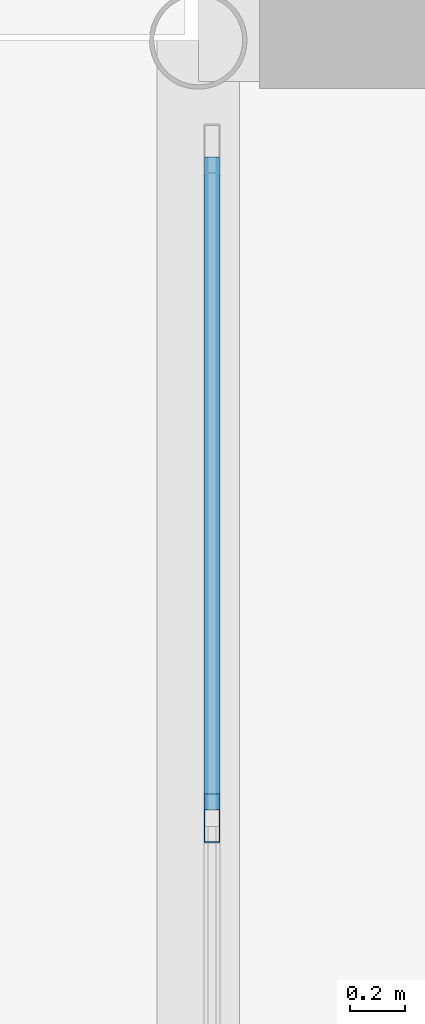
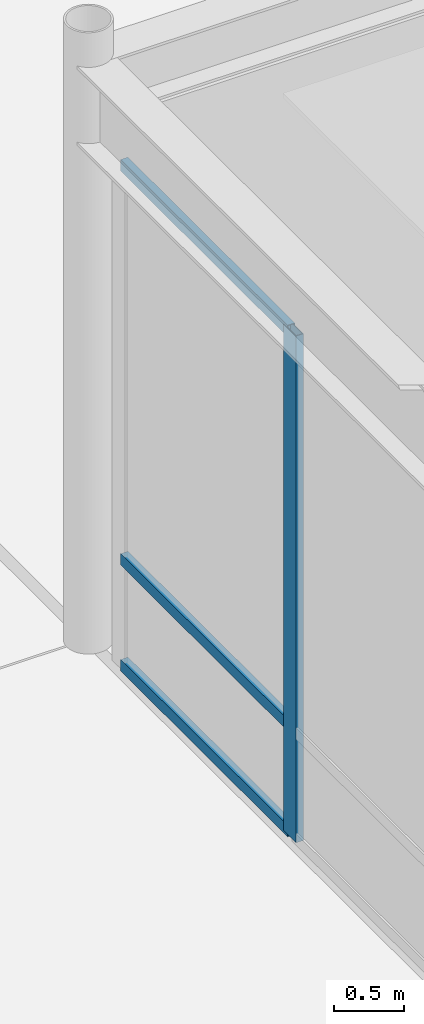
# One storey, part 84 of 143: 4 members, 1 element without a shape of its own.
"""IFC4 building model written with IfcOpenShell, lengths in metres."""

from ifc_helpers import new_model, si_unit, direction, frame, origin, origin_2d, place, context, subcontext, project, spatial, hollow_rectangle, extrude, material, layer, layer_set, material_profile, profile_set, type_object, element, aggregate, save


model = new_model("IFC4")

# Units and contexts
model_context = context("Model", 3, precision=1e-05, world=origin(), true_north=direction((0.0, 1.0)))
body_context = subcontext(model_context, "Body", "Model", "MODEL_VIEW")
ifc_project = project(units=[si_unit("LENGTHUNIT", "METRE"), si_unit("AREAUNIT", "SQUARE_METRE"), si_unit("VOLUMEUNIT", "CUBIC_METRE"), si_unit("PLANEANGLEUNIT", "RADIAN"), si_unit("MASSUNIT", "GRAM", prefix="KILO")], contexts=[model_context])

# Site, building, storey
site_placement = place(None, origin())
site = spatial("IfcSite", under=ifc_project, at=site_placement, CompositionType="ELEMENT")
building_placement = place(site_placement, origin())
building = spatial("IfcBuilding", under=site, at=building_placement, Name="Montelvaro Courts of Justice", CompositionType="ELEMENT")
storey_placement = place(building_placement, origin())
storey = spatial("IfcBuildingStorey", under=building, at=storey_placement, Name="L00", CompositionType="ELEMENT", Elevation=0.0)

# Curtain wall, members
ifc_material = material(Name="Anodised aluminium EN AW-6063", Category="aluminium")
ifc_layer = layer(ifc_material, 0.159912109375)
ifc_layer_set = layer_set([ifc_layer], Name="Anodised aluminium EN AW-6063")
curtain_wall_type = type_object("IfcCurtainWallType", Name="CurtainWall_02_1727x508", PredefinedType="USERDEFINED", material=ifc_layer_set)
curtain_wall_placement = place(storey_placement, origin())
curtain_wall = element("IfcCurtainWall", 1, at=curtain_wall_placement, inside=storey, type_object=curtain_wall_type, Name="Curtain Wall CW-02 (L00)", ObjectType="CURTAIN WALL", PredefinedType="USERDEFINED")
ifc_material_profile_1 = material_profile(ifc_material, hollow_rectangle(XDim=0.06005859375, YDim=0.179931640625, WallThickness=0.00439453125, at=origin_2d()), Name="ALU-M 60x180")
ifc_profile_set_1 = profile_set([ifc_material_profile_1], Name="Anodised aluminium EN AW-6063")
member_type_1 = type_object("IfcMemberType", Name="CurtainWall_Mullion_60x180", PredefinedType="MULLION", material=ifc_profile_set_1)
member_1_placement = place(storey_placement, frame((99.050048828125, 93.16796875, 0.0), z_axis=(0.0, 0.0, 1.0), x_axis=(1.0, 0.0, 0.0)))
member_1 = element("IfcMember", 2, at=member_1_placement, type_object=member_type_1, Name="CW-02 mullion 2", PredefinedType="MULLION", context=body_context, shape_type="SweptSolid", body=[
    extrude(hollow_rectangle(XDim=0.06005859375, YDim=0.179931640625, WallThickness=0.00439453125, at=origin_2d()), origin(), (0.0, 0.0, 1.0), 4.405029296875),
])
ifc_material_profile_2 = material_profile(ifc_material, hollow_rectangle(XDim=0.06005859375, YDim=0.10009765625, WallThickness=0.00341796875, at=origin_2d()), Name="ALU-T 60x100")
ifc_profile_set_2 = profile_set([ifc_material_profile_2], Name="Anodised aluminium EN AW-6063")
member_type_2 = type_object("IfcMemberType", Name="CurtainWall_Transom_60x100", PredefinedType="USERDEFINED", material=ifc_profile_set_2)
member_2_placement = place(storey_placement, frame((99.050048828125, 95.574951171875, 0.030029296875), z_axis=(0.0, -1.0, 0.0), x_axis=(1.0, 0.0, 0.0)))
member_2 = element("IfcMember", 3, at=member_2_placement, type_object=member_type_2, Name="CW-02 transom 1.1", ObjectType="TRANSOM", PredefinedType="USERDEFINED", context=body_context, shape_type="SweptSolid", body=[
    extrude(hollow_rectangle(XDim=0.06005859375, YDim=0.10009765625, WallThickness=0.00341796875, at=origin_2d()), origin(), (0.0, 0.0, 1.0), 2.377197265625),
])
member_3_placement = place(storey_placement, frame((99.050048828125, 95.574951171875, 0.949951171875), z_axis=(0.0, -1.0, 0.0), x_axis=(1.0, 0.0, 0.0)))
member_3 = element("IfcMember", 4, at=member_3_placement, type_object=member_type_2, Name="CW-02 transom 1.2", ObjectType="TRANSOM", PredefinedType="USERDEFINED", context=body_context, shape_type="SweptSolid", body=[
    extrude(hollow_rectangle(XDim=0.06005859375, YDim=0.10009765625, WallThickness=0.00341796875, at=origin_2d()), origin(), (0.0, 0.0, 1.0), 2.377197265625),
])
member_4_placement = place(storey_placement, frame((99.050048828125, 95.574951171875, 4.375), z_axis=(0.0, -1.0, 0.0), x_axis=(1.0, 0.0, 0.0)))
member_4 = element("IfcMember", 5, at=member_4_placement, type_object=member_type_2, Name="CW-02 transom 1.3", ObjectType="TRANSOM", PredefinedType="USERDEFINED", context=body_context, shape_type="SweptSolid", body=[
    extrude(hollow_rectangle(XDim=0.06005859375, YDim=0.10009765625, WallThickness=0.00341796875, at=origin_2d()), origin(), (0.0, 0.0, 1.0), 2.377197265625),
])
aggregate(curtain_wall, [member_1, member_2, member_3, member_4])

save(model, "model.ifc")
